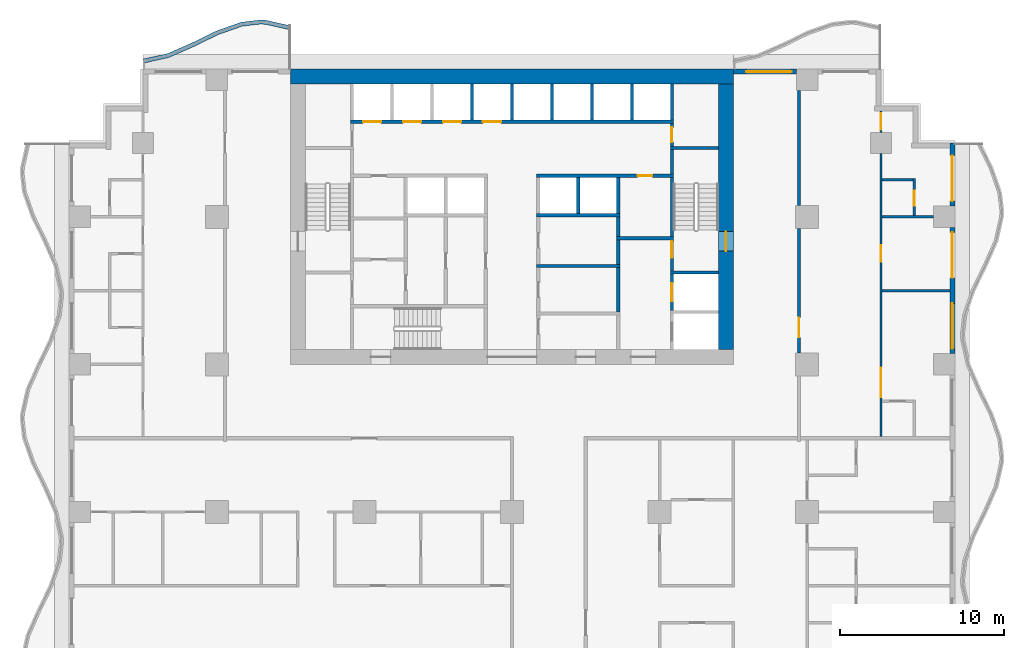
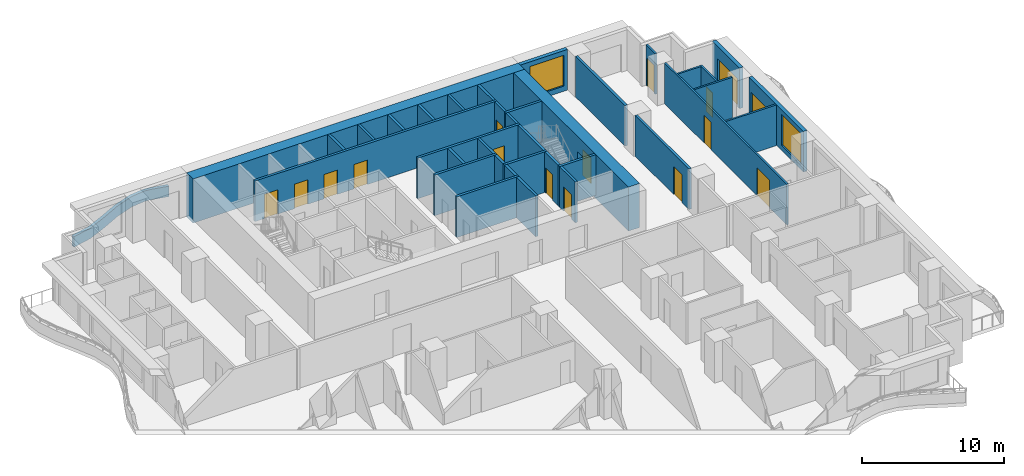
# One storey, part 6 of 14: 37 walls, 16 doors, 2 windows, 18 openings.
"""IFC4 building model written with IfcOpenShell, lengths in metres."""

from ifc_helpers import new_model, si_unit, direction, frame, frame_2d, origin, place, context, subcontext, project, spatial, polyline, rectangle, outline, extrude, material, layer, layer_set, type_object, element, fill, save


model = new_model("IFC4")

# Units and contexts
model_context = context("Model", 3, precision=1e-05, world=origin(), true_north=direction((0.0, 1.0)))
body_context = subcontext(model_context, "Body", "Model", "MODEL_VIEW")
ifc_project = project(units=[si_unit("LENGTHUNIT", "METRE"), si_unit("AREAUNIT", "SQUARE_METRE"), si_unit("VOLUMEUNIT", "CUBIC_METRE"), si_unit("PLANEANGLEUNIT", "RADIAN"), si_unit("MASSUNIT", "GRAM", prefix="KILO")], contexts=[model_context])

# Site, building, storey
site_placement = place(None, origin())
site = spatial("IfcSite", under=ifc_project, at=site_placement, CompositionType="ELEMENT")
building_placement = place(site_placement, origin())
building = spatial("IfcBuilding", under=site, at=building_placement, Name="Orbiselva Terraces", CompositionType="ELEMENT")
storey_placement = place(building_placement, frame((0.0, 0.0, 80.8)))
storey = spatial("IfcBuildingStorey", under=building, at=storey_placement, Name="L20", CompositionType="ELEMENT", Elevation=80.8)

# Wall, opening, door
ifc_material_1 = material(Name="Concrete C80/95", Category="concrete")
ifc_layer_1 = layer(ifc_material_1, 0.9)
ifc_layer_set_1 = layer_set([ifc_layer_1], Name="Concrete C80/95")
wall_type_1 = type_object("IfcWallType", Name="CORE WALL 900", PredefinedType="SHEAR", material=ifc_layer_set_1)
wall_1_placement = place(storey_placement, frame((13.05, 5.4, -0.3), z_axis=(0.0, 0.0, 1.0), x_axis=(0.0, 1.0, 0.0)))
wall_1 = element("IfcWall", 1, at=wall_1_placement, inside=storey, type_object=wall_type_1, Name="Core wall L20 east", PredefinedType="SHEAR", context=body_context, shape_type="SweptSolid", body=[
    extrude(rectangle(XDim=16.2, YDim=0.9, at=frame_2d((8.1, 0.0))), origin(), (0.0, 0.0, 1.0), 3.8),
])
opening_1_placement = place(wall_1_placement, frame((6.0, 0.0, 0.3)))
opening_1 = element("IfcOpeningElement", 2, at=opening_1_placement, cuts=wall_1, Name="Opening DS1200", PredefinedType="OPENING", context=body_context, shape_type="SweptSolid", body=[
    extrude(rectangle(XDim=1.2, YDim=2.2, at=frame_2d((0.6, 1.1))), frame((0.0, 0.46, 0.0), z_axis=(0.0, -1.0, 0.0), x_axis=(1.0, 0.0, 0.0)), (0.0, 0.0, 1.0), 0.92),
])
ifc_material_2 = material(Name="Steel fire door", Category="steel")
door_type_1 = type_object("IfcDoorType", Name="STAIR DOOR 1200", OperationType="NOTDEFINED", PredefinedType="DOOR", material=ifc_material_2)
door_1_placement = place(opening_1_placement, frame((1.2, 0.0, 0.0), z_axis=(0.0, 0.0, 1.0), x_axis=(-1.0, 0.0, 0.0)))
door_1 = element("IfcDoor", 3, at=door_1_placement, inside=storey, type_object=door_type_1, Name="L20 EXIT STAIR S2 door", OperationType="SINGLE_SWING_LEFT", OverallHeight=2.2, OverallWidth=1.2, PredefinedType="DOOR", context=body_context, shape_type="SweptSolid", body=[
    extrude(rectangle(XDim=1.2, YDim=2.2, at=frame_2d((0.6, 1.1))), frame((0.0, 0.025, 0.0), z_axis=(0.0, -1.0, 0.0), x_axis=(1.0, 0.0, 0.0)), (0.0, 0.0, 1.0), 0.05),
])
fill(opening_1, door_1)

# Walls
ifc_layer_2 = layer(ifc_material_1, 0.9)
ifc_layer_set_2 = layer_set([ifc_layer_2], Name="Concrete C80/95")
wall_type_2 = type_object("IfcWallType", Name="CORE WALL 900 EXTERNAL", PredefinedType="SHEAR", material=ifc_layer_set_2)
wall_2_placement = place(storey_placement, frame((13.5, 22.05, -0.3), z_axis=(0.0, 0.0, 1.0), x_axis=(-1.0, 0.0, 0.0)))
element("IfcWall", 4, at=wall_2_placement, inside=storey, type_object=wall_type_2, Name="Core wall L20 north", PredefinedType="SHEAR", context=body_context, shape_type="SweptSolid", body=[
    extrude(rectangle(XDim=27.0, YDim=0.9, at=frame_2d((13.5, 0.0))), origin(), (0.0, 0.0, 1.0), 3.8),
])
ifc_material_3 = material(Name="Masonry blockwork", Category="masonry")
ifc_layer_3 = layer(ifc_material_3, 0.2)
ifc_layer_set_3 = layer_set([ifc_layer_3], Name="Masonry blockwork")
wall_type_3 = type_object("IfcWallType", Name="CORE-WALL-PARTITION-200", PredefinedType="PARTITIONING", material=ifc_layer_set_3)
wall_3_placement = place(storey_placement, frame((6.475, 12.3, 0.0), z_axis=(0.0, 0.0, 1.0), x_axis=(0.0, 1.0, 0.0)))
element("IfcWall", 5, at=wall_3_placement, inside=storey, type_object=wall_type_3, Name="L20 core wall 44", PredefinedType="PARTITIONING", context=body_context, shape_type="SweptSolid", body=[
    extrude(rectangle(XDim=1.2, YDim=0.2, at=frame_2d((0.6, 0.0))), origin(), (0.0, 0.0, 1.0), 3.5),
])

# Wall, opening, door
wall_4_placement = place(storey_placement, frame((9.75, 19.2, 0.0), z_axis=(0.0, 0.0, 1.0), x_axis=(0.0, -1.0, 0.0)))
wall_4 = element("IfcWall", 6, at=wall_4_placement, inside=storey, type_object=wall_type_3, Name="L20 core wall 55", PredefinedType="PARTITIONING", context=body_context, shape_type="SweptSolid", body=[
    extrude(rectangle(XDim=1.4, YDim=0.2, at=frame_2d((0.7, 0.0))), origin(), (0.0, 0.0, 1.0), 3.5),
])
opening_2_placement = place(wall_4_placement, frame((0.25, 0.0, 0.0)))
opening_2 = element("IfcOpeningElement", 7, at=opening_2_placement, cuts=wall_4, Name="Opening DR900", PredefinedType="OPENING", context=body_context, shape_type="SweptSolid", body=[
    extrude(rectangle(XDim=0.9, YDim=2.1, at=frame_2d((0.45, 1.05))), frame((0.0, 0.11, 0.0), z_axis=(0.0, -1.0, 0.0), x_axis=(1.0, 0.0, 0.0)), (0.0, 0.0, 1.0), 0.22),
])
door_type_2 = type_object("IfcDoorType", Name="ROOM DOOR 900", OperationType="NOTDEFINED", PredefinedType="DOOR", material=ifc_material_2)
door_2_placement = place(opening_2_placement, origin())
door_2 = element("IfcDoor", 8, at=door_2_placement, inside=storey, type_object=door_type_2, Name="L20 COMMS RISER ROOM door", OperationType="SINGLE_SWING_RIGHT", OverallHeight=2.1, OverallWidth=0.9, PredefinedType="DOOR", context=body_context, shape_type="SweptSolid", body=[
    extrude(rectangle(XDim=0.9, YDim=2.1, at=frame_2d((0.45, 1.05))), frame((0.0, 0.025, 0.0), z_axis=(0.0, -1.0, 0.0), x_axis=(1.0, 0.0, 0.0)), (0.0, 0.0, 1.0), 0.05),
])
fill(opening_2, door_2)

# Walls
ifc_material_4 = material(Name="Concrete C40/50", Category="concrete")
ifc_layer_4 = layer(ifc_material_4, 0.2)
ifc_layer_set_4 = layer_set([ifc_layer_4], Name="Concrete C40/50")
wall_type_4 = type_object("IfcWallType", Name="CORE-WALL-SHAFT-200", PredefinedType="PARTITIONING", material=ifc_layer_set_4)
for number, where, z_axis, x_axis, name in (
    (9, (-2.4375, 19.4, 0.0), (0.0, 0.0, 1.0), (0.0, 1.0, 0.0), "L20 core wall 24"),
    (10, (0.0, 19.4, 0.0), (0.0, 0.0, 1.0), (0.0, 1.0, 0.0), "L20 core wall 28"),
    (11, (2.4375, 19.4, 0.0), (0.0, 0.0, 1.0), (0.0, 1.0, 0.0), "L20 core wall 37"),
    (12, (4.0375, 13.7, 0.0), (0.0, 0.0, 1.0), (0.0, 1.0, 0.0), "L20 core wall 38"),
    (13, (4.875, 19.4, 0.0), (0.0, 0.0, 1.0), (0.0, 1.0, 0.0), "L20 core wall 39"),
    (14, (6.475, 13.7, 0.0), (0.0, 0.0, 1.0), (0.0, 1.0, 0.0), "L20 core wall 45"),
    (15, (7.3125, 19.4, 0.0), (0.0, 0.0, 1.0), (0.0, 1.0, 0.0), "L20 core wall 46"),
    (16, (9.75, 19.4, 0.0), (0.0, 0.0, 1.0), (0.0, 1.0, 0.0), "L20 core wall 56"),
):
    element("IfcWall", number, at=place(storey_placement, frame(where, z_axis=z_axis, x_axis=x_axis)), inside=storey, type_object=wall_type_4, Name=name, PredefinedType="PARTITIONING", context=body_context, shape_type="SweptSolid", body=[
        extrude(rectangle(XDim=2.2, YDim=0.2, at=frame_2d((1.1, 0.0))), origin(), (0.0, 0.0, 1.0), 3.5),
    ])

# Wall, openings, doors
ifc_material_5 = material(Name="Concrete C60/75", Category="concrete")
ifc_layer_5 = layer(ifc_material_5, 0.2)
ifc_layer_set_5 = layer_set([ifc_layer_5], Name="Concrete C60/75")
wall_type_5 = type_object("IfcWallType", Name="CORE-WALL-SHEAR-200", PredefinedType="SHEAR", material=ifc_layer_set_5)
wall_5_placement = place(storey_placement, frame((-9.85, 19.3, 0.0), z_axis=(0.0, 0.0, 1.0), x_axis=(1.0, 0.0, 0.0)))
wall_5 = element("IfcWall", 17, at=wall_5_placement, inside=storey, type_object=wall_type_5, Name="L20 core wall 14", PredefinedType="SHEAR", context=body_context, shape_type="SweptSolid", body=[
    extrude(rectangle(XDim=19.7, YDim=0.2, at=frame_2d((9.85, 0.0))), origin(), (0.0, 0.0, 1.0), 3.5),
])
opening_3_placement = place(wall_5_placement, frame((0.76875, 0.0, 0.0)))
opening_3 = element("IfcOpeningElement", 18, at=opening_3_placement, cuts=wall_5, Name="Opening LD-LR1", PredefinedType="OPENING", context=body_context, shape_type="SweptSolid", body=[
    extrude(rectangle(XDim=1.1, YDim=2.1, at=frame_2d((0.55, 1.05))), frame((0.0, 0.11, 0.0), z_axis=(0.0, -1.0, 0.0), x_axis=(1.0, 0.0, 0.0)), (0.0, 0.0, 1.0), 0.22),
])
opening_4_placement = place(wall_5_placement, frame((3.20625, 0.0, 0.0)))
opening_4 = element("IfcOpeningElement", 19, at=opening_4_placement, cuts=wall_5, Name="Opening LD-LR2", PredefinedType="OPENING", context=body_context, shape_type="SweptSolid", body=[
    extrude(rectangle(XDim=1.1, YDim=2.1, at=frame_2d((0.55, 1.05))), frame((0.0, 0.11, 0.0), z_axis=(0.0, -1.0, 0.0), x_axis=(1.0, 0.0, 0.0)), (0.0, 0.0, 1.0), 0.22),
])
opening_5_placement = place(wall_5_placement, frame((5.64375, 0.0, 0.0)))
opening_5 = element("IfcOpeningElement", 20, at=opening_5_placement, cuts=wall_5, Name="Opening LD-LR3", PredefinedType="OPENING", context=body_context, shape_type="SweptSolid", body=[
    extrude(rectangle(XDim=1.1, YDim=2.1, at=frame_2d((0.55, 1.05))), frame((0.0, 0.11, 0.0), z_axis=(0.0, -1.0, 0.0), x_axis=(1.0, 0.0, 0.0)), (0.0, 0.0, 1.0), 0.22),
])
opening_6_placement = place(wall_5_placement, frame((8.08125, 0.0, 0.0)))
opening_6 = element("IfcOpeningElement", 21, at=opening_6_placement, cuts=wall_5, Name="Opening LD-LR4", PredefinedType="OPENING", context=body_context, shape_type="SweptSolid", body=[
    extrude(rectangle(XDim=1.1, YDim=2.1, at=frame_2d((0.55, 1.05))), frame((0.0, 0.11, 0.0), z_axis=(0.0, -1.0, 0.0), x_axis=(1.0, 0.0, 0.0)), (0.0, 0.0, 1.0), 0.22),
])
ifc_material_6 = material(Name="Stainless steel landing door", Category="steel")
door_type_3 = type_object("IfcDoorType", Name="LANDING DOOR 1100", OperationType="SLIDING_TO_LEFT", PredefinedType="DOOR", material=ifc_material_6)
door_3_placement = place(opening_3_placement, origin())
door_3 = element("IfcDoor", 22, at=door_3_placement, inside=storey, type_object=door_type_3, Name="L20 landing door LR1", OperationType="SLIDING_TO_LEFT", OverallHeight=2.1, OverallWidth=1.1, PredefinedType="DOOR", context=body_context, shape_type="SweptSolid", body=[
    extrude(rectangle(XDim=1.1, YDim=2.1, at=frame_2d((0.55, 1.05))), frame((0.0, 0.025, 0.0), z_axis=(0.0, -1.0, 0.0), x_axis=(1.0, 0.0, 0.0)), (0.0, 0.0, 1.0), 0.05),
])
fill(opening_3, door_3)
door_4_placement = place(opening_4_placement, origin())
door_4 = element("IfcDoor", 23, at=door_4_placement, inside=storey, type_object=door_type_3, Name="L20 landing door LR2", OperationType="SLIDING_TO_LEFT", OverallHeight=2.1, OverallWidth=1.1, PredefinedType="DOOR", context=body_context, shape_type="SweptSolid", body=[
    extrude(rectangle(XDim=1.1, YDim=2.1, at=frame_2d((0.55, 1.05))), frame((0.0, 0.025, 0.0), z_axis=(0.0, -1.0, 0.0), x_axis=(1.0, 0.0, 0.0)), (0.0, 0.0, 1.0), 0.05),
])
fill(opening_4, door_4)
door_5_placement = place(opening_5_placement, origin())
door_5 = element("IfcDoor", 24, at=door_5_placement, inside=storey, type_object=door_type_3, Name="L20 landing door LR3", OperationType="SLIDING_TO_LEFT", OverallHeight=2.1, OverallWidth=1.1, PredefinedType="DOOR", context=body_context, shape_type="SweptSolid", body=[
    extrude(rectangle(XDim=1.1, YDim=2.1, at=frame_2d((0.55, 1.05))), frame((0.0, 0.025, 0.0), z_axis=(0.0, -1.0, 0.0), x_axis=(1.0, 0.0, 0.0)), (0.0, 0.0, 1.0), 0.05),
])
fill(opening_5, door_5)
door_6_placement = place(opening_6_placement, origin())
door_6 = element("IfcDoor", 25, at=door_6_placement, inside=storey, type_object=door_type_3, Name="L20 landing door LR4", OperationType="SLIDING_TO_LEFT", OverallHeight=2.1, OverallWidth=1.1, PredefinedType="DOOR", context=body_context, shape_type="SweptSolid", body=[
    extrude(rectangle(XDim=1.1, YDim=2.1, at=frame_2d((0.55, 1.05))), frame((0.0, 0.025, 0.0), z_axis=(0.0, -1.0, 0.0), x_axis=(1.0, 0.0, 0.0)), (0.0, 0.0, 1.0), 0.05),
])
fill(opening_6, door_6)

# Walls
for number, where, z_axis, x_axis, name in (
    (26, (1.5, 10.5, 0.0), (0.0, 0.0, 1.0), (1.0, 0.0, 0.0), "L20 core wall 32"),
    (27, (1.5, 13.6, 0.0), (0.0, 0.0, 1.0), (1.0, 0.0, 0.0), "L20 core wall 34"),
):
    element("IfcWall", number, at=place(storey_placement, frame(where, z_axis=z_axis, x_axis=x_axis)), inside=storey, type_object=wall_type_5, Name=name, PredefinedType="SHEAR", context=body_context, shape_type="SweptSolid", body=[
        extrude(rectangle(XDim=5.075, YDim=0.2, at=frame_2d((2.5375, 0.0))), origin(), (0.0, 0.0, 1.0), 3.5),
    ])

# Wall, opening, door
wall_6_placement = place(storey_placement, frame((9.85, 16.0, 0.0), z_axis=(0.0, 0.0, 1.0), x_axis=(-1.0, 0.0, 0.0)))
wall_6 = element("IfcWall", 28, at=wall_6_placement, inside=storey, type_object=wall_type_5, Name="L20 core wall 36", PredefinedType="SHEAR", context=body_context, shape_type="SweptSolid", body=[
    extrude(rectangle(XDim=8.35, YDim=0.2, at=frame_2d((4.175, 0.0))), origin(), (0.0, 0.0, 1.0), 3.5),
])
opening_7_placement = place(wall_6_placement, frame((1.2875, 0.0, 0.0)))
opening_7 = element("IfcOpeningElement", 29, at=opening_7_placement, cuts=wall_6, Name="Opening DR900", PredefinedType="OPENING", context=body_context, shape_type="SweptSolid", body=[
    extrude(rectangle(XDim=0.9, YDim=2.1, at=frame_2d((0.45, 1.05))), frame((0.0, 0.11, 0.0), z_axis=(0.0, -1.0, 0.0), x_axis=(1.0, 0.0, 0.0)), (0.0, 0.0, 1.0), 0.22),
])
door_7_placement = place(opening_7_placement, origin())
door_7 = element("IfcDoor", 30, at=door_7_placement, inside=storey, type_object=door_type_2, Name="L20 PIPE RISER ROOM door", OperationType="SINGLE_SWING_LEFT", OverallHeight=2.1, OverallWidth=0.9, PredefinedType="DOOR", context=body_context, shape_type="SweptSolid", body=[
    extrude(rectangle(XDim=0.9, YDim=2.1, at=frame_2d((0.45, 1.05))), frame((0.0, 0.025, 0.0), z_axis=(0.0, -1.0, 0.0), x_axis=(1.0, 0.0, 0.0)), (0.0, 0.0, 1.0), 0.05),
])
fill(opening_7, door_7)

# Walls
wall_7_placement = place(storey_placement, frame((6.475, 7.7, 0.0), z_axis=(0.0, 0.0, 1.0), x_axis=(0.0, 1.0, 0.0)))
element("IfcWall", 31, at=wall_7_placement, inside=storey, type_object=wall_type_5, Name="L20 core wall 41", PredefinedType="SHEAR", context=body_context, shape_type="SweptSolid", body=[
    extrude(rectangle(XDim=2.7, YDim=0.2, at=frame_2d((1.35, 0.0))), origin(), (0.0, 0.0, 1.0), 3.5),
])
wall_8_placement = place(storey_placement, frame((6.475, 10.6, 0.0), z_axis=(0.0, 0.0, 1.0), x_axis=(0.0, 1.0, 0.0)))
element("IfcWall", 32, at=wall_8_placement, inside=storey, type_object=wall_type_5, Name="L20 core wall 42", PredefinedType="SHEAR", context=body_context, shape_type="SweptSolid", body=[
    extrude(rectangle(XDim=1.5, YDim=0.2, at=frame_2d((0.75, 0.0))), origin(), (0.0, 0.0, 1.0), 3.5),
])
wall_9_placement = place(storey_placement, frame((6.375, 12.2, 0.0), z_axis=(0.0, 0.0, 1.0), x_axis=(1.0, 0.0, 0.0)))
element("IfcWall", 33, at=wall_9_placement, inside=storey, type_object=wall_type_5, Name="L20 core wall 43", PredefinedType="SHEAR", context=body_context, shape_type="SweptSolid", body=[
    extrude(rectangle(XDim=3.475, YDim=0.2, at=frame_2d((1.7375, 0.0))), origin(), (0.0, 0.0, 1.0), 3.5),
])

# Wall, opening, door
wall_10_placement = place(storey_placement, frame((9.75, 7.8, 0.0), z_axis=(0.0, 0.0, 1.0), x_axis=(0.0, 1.0, 0.0)))
wall_10 = element("IfcWall", 34, at=wall_10_placement, inside=storey, type_object=wall_type_5, Name="L20 core wall 49", PredefinedType="SHEAR", context=body_context, shape_type="SweptSolid", body=[
    extrude(rectangle(XDim=2.2, YDim=0.2, at=frame_2d((1.1, 0.0))), origin(), (0.0, 0.0, 1.0), 3.5),
])
opening_8_placement = place(wall_10_placement, frame((0.55, 0.0, 0.0)))
opening_8 = element("IfcOpeningElement", 35, at=opening_8_placement, cuts=wall_10, Name="Opening LD-FF2", PredefinedType="OPENING", context=body_context, shape_type="SweptSolid", body=[
    extrude(rectangle(XDim=1.1, YDim=2.1, at=frame_2d((0.55, 1.05))), frame((0.0, 0.11, 0.0), z_axis=(0.0, -1.0, 0.0), x_axis=(1.0, 0.0, 0.0)), (0.0, 0.0, 1.0), 0.22),
])
door_8_placement = place(opening_8_placement, origin())
door_8 = element("IfcDoor", 36, at=door_8_placement, inside=storey, type_object=door_type_3, Name="L20 landing door FF2", OperationType="SLIDING_TO_RIGHT", OverallHeight=2.1, OverallWidth=1.1, PredefinedType="DOOR", context=body_context, shape_type="SweptSolid", body=[
    extrude(rectangle(XDim=1.1, YDim=2.1, at=frame_2d((0.55, 1.05))), frame((0.0, 0.025, 0.0), z_axis=(0.0, -1.0, 0.0), x_axis=(1.0, 0.0, 0.0)), (0.0, 0.0, 1.0), 0.05),
])
fill(opening_8, door_8)

# Wall
wall_11_placement = place(storey_placement, frame((9.65, 10.1, 0.0), z_axis=(0.0, 0.0, 1.0), x_axis=(1.0, 0.0, 0.0)))
element("IfcWall", 37, at=wall_11_placement, inside=storey, type_object=wall_type_5, Name="L20 core wall 50", PredefinedType="SHEAR", context=body_context, shape_type="SweptSolid", body=[
    extrude(rectangle(XDim=2.95, YDim=0.2, at=frame_2d((1.475, 0.0))), origin(), (0.0, 0.0, 1.0), 3.5),
])

# Wall, opening, door
wall_12_placement = place(storey_placement, frame((9.75, 12.1, 0.0), z_axis=(0.0, 0.0, 1.0), x_axis=(0.0, -1.0, 0.0)))
wall_12 = element("IfcWall", 38, at=wall_12_placement, inside=storey, type_object=wall_type_5, Name="L20 core wall 51", PredefinedType="SHEAR", context=body_context, shape_type="SweptSolid", body=[
    extrude(rectangle(XDim=1.9, YDim=0.2, at=frame_2d((0.95, 0.0))), origin(), (0.0, 0.0, 1.0), 3.5),
])
opening_9_placement = place(wall_12_placement, frame((0.1, 0.0, 0.0)))
opening_9 = element("IfcOpeningElement", 39, at=opening_9_placement, cuts=wall_12, Name="Opening DS1000", PredefinedType="OPENING", context=body_context, shape_type="SweptSolid", body=[
    extrude(rectangle(XDim=1.0, YDim=2.2, at=frame_2d((0.5, 1.1))), frame((0.0, 0.11, 0.0), z_axis=(0.0, -1.0, 0.0), x_axis=(1.0, 0.0, 0.0)), (0.0, 0.0, 1.0), 0.22),
])
door_type_4 = type_object("IfcDoorType", Name="STAIR DOOR 1000", OperationType="NOTDEFINED", PredefinedType="DOOR", material=ifc_material_2)
door_9_placement = place(opening_9_placement, origin())
door_9 = element("IfcDoor", 40, at=door_9_placement, inside=storey, type_object=door_type_4, Name="L20 FIRE-FIGHTING LOBBY TO EXIT STAIR S2 door", OperationType="SINGLE_SWING_LEFT", OverallHeight=2.2, OverallWidth=1.0, PredefinedType="DOOR", context=body_context, shape_type="SweptSolid", body=[
    extrude(rectangle(XDim=1.0, YDim=2.2, at=frame_2d((0.5, 1.1))), frame((0.0, 0.025, 0.0), z_axis=(0.0, -1.0, 0.0), x_axis=(1.0, 0.0, 0.0)), (0.0, 0.0, 1.0), 0.05),
])
fill(opening_9, door_9)

# Walls
wall_13_placement = place(storey_placement, frame((9.75, 12.3, 0.0), z_axis=(0.0, 0.0, 1.0), x_axis=(0.0, 1.0, 0.0)))
element("IfcWall", 41, at=wall_13_placement, inside=storey, type_object=wall_type_5, Name="L20 core wall 52", PredefinedType="SHEAR", context=body_context, shape_type="SweptSolid", body=[
    extrude(rectangle(XDim=3.6, YDim=0.2, at=frame_2d((1.8, 0.0))), origin(), (0.0, 0.0, 1.0), 3.5),
])
wall_14_placement = place(storey_placement, frame((9.75, 16.1, 0.0), z_axis=(0.0, 0.0, 1.0), x_axis=(0.0, 1.0, 0.0)))
element("IfcWall", 42, at=wall_14_placement, inside=storey, type_object=wall_type_5, Name="L20 core wall 53", PredefinedType="SHEAR", context=body_context, shape_type="SweptSolid", body=[
    extrude(rectangle(XDim=1.5, YDim=0.2, at=frame_2d((0.75, 0.0))), origin(), (0.0, 0.0, 1.0), 3.5),
])
wall_15_placement = place(storey_placement, frame((9.65, 17.7, 0.0), z_axis=(0.0, 0.0, 1.0), x_axis=(1.0, 0.0, 0.0)))
element("IfcWall", 43, at=wall_15_placement, inside=storey, type_object=wall_type_5, Name="L20 core wall 54", PredefinedType="SHEAR", context=body_context, shape_type="SweptSolid", body=[
    extrude(rectangle(XDim=2.95, YDim=0.2, at=frame_2d((1.475, 0.0))), origin(), (0.0, 0.0, 1.0), 3.5),
])
ifc_layer_6 = layer(ifc_material_4, 0.25)
ifc_layer_set_6 = layer_set([ifc_layer_6], Name="Concrete C40/50")
wall_type_6 = type_object("IfcWallType", Name="ENV-PLANTER-250x900", PredefinedType="USERDEFINED", material=ifc_layer_set_6)
wall_16_placement = place(storey_placement, origin())
element("IfcWall", 44, at=wall_16_placement, inside=storey, type_object=wall_type_6, Name="Balcony planter L20 NW", ObjectType="PLANTER", PredefinedType="USERDEFINED", context=body_context, shape_type="SweptSolid", body=[
    extrude(outline(polyline([(-13.5, 25.148528), (-15.0, 25.485226), (-15.375, 25.5), (-16.5, 25.369208), (-18.0, 24.844789), (-19.5, 24.112279), (-21.0, 23.451472), (-22.5, 23.114774), (-22.445246, 22.870844), (-20.921492, 23.212874), (-19.394714, 23.885477), (-17.90356, 24.613667), (-16.443629, 25.124078), (-15.365428, 25.249429), (-15.032565, 25.236315), (-13.554754, 24.904598), (-13.5, 25.148528)])), origin(), (0.0, 0.0, 1.0), 0.9),
])

# Wall, openings, door, window
ifc_material_7 = material(Name="Terracotta cladding on masonry backing", Category="masonry")
ifc_layer_7 = layer(ifc_material_7, 0.3)
ifc_layer_set_7 = layer_set([ifc_layer_7], Name="Terracotta cladding on masonry backing")
wall_type_7 = type_object("IfcWallType", Name="ENV-WALL-TERRACOTTA-300", PredefinedType="SOLIDWALL", material=ifc_layer_set_7)
wall_17_placement = place(storey_placement, frame((26.85, 12.85, 0.0), z_axis=(0.0, 0.0, 1.0), x_axis=(0.0, -1.0, 0.0)))
wall_17 = element("IfcWall", 45, at=wall_17_placement, inside=storey, type_object=wall_type_7, Name="Facade wall L20 E", PredefinedType="SOLIDWALL", context=body_context, shape_type="SweptSolid", body=[
    extrude(rectangle(XDim=7.7, YDim=0.3, at=frame_2d((3.85, 0.0))), origin(), (0.0, 0.0, 1.0), 3.5),
])
opening_10_placement = place(wall_17_placement, frame((4.625, 0.0, 0.45)))
opening_10 = element("IfcOpeningElement", 46, at=opening_10_placement, cuts=wall_17, Name="Opening WN6", PredefinedType="OPENING", context=body_context, shape_type="SweptSolid", body=[
    extrude(rectangle(XDim=2.775, YDim=2.65, at=frame_2d((1.3875, 1.325))), frame((0.0, 0.16, 0.0), z_axis=(0.0, -1.0, 0.0), x_axis=(1.0, 0.0, 0.0)), (0.0, 0.0, 1.0), 0.32),
])
opening_11_placement = place(wall_17_placement, frame((0.3, 0.0, 0.0)))
opening_11 = element("IfcOpeningElement", 47, at=opening_11_placement, cuts=wall_17, Name="Opening Z2-B-E07", PredefinedType="OPENING", context=body_context, shape_type="SweptSolid", body=[
    extrude(rectangle(XDim=2.775, YDim=2.4, at=frame_2d((1.3875, 1.2))), frame((0.0, 0.16, 0.0), z_axis=(0.0, -1.0, 0.0), x_axis=(1.0, 0.0, 0.0)), (0.0, 0.0, 1.0), 0.32),
])
ifc_material_8 = material(Name="Clear low-e glazing in aluminium frame", Category="aluminium")
door_type_5 = type_object("IfcDoorType", Name="BALCONY DOOR 2775 X 2400", OperationType="DOUBLE_DOOR_SLIDING", PredefinedType="DOOR", material=ifc_material_8)
door_10_placement = place(opening_11_placement, origin())
door_10 = element("IfcDoor", 48, at=door_10_placement, inside=storey, type_object=door_type_5, Name="Z2-B-E07", OperationType="SINGLE_SWING_LEFT", OverallHeight=2.4, OverallWidth=2.775, PredefinedType="DOOR", context=body_context, shape_type="SweptSolid", body=[
    extrude(rectangle(XDim=2.775, YDim=2.4, at=frame_2d((1.3875, 1.2))), frame((0.0, 0.025, 0.0), z_axis=(0.0, -1.0, 0.0), x_axis=(1.0, 0.0, 0.0)), (0.0, 0.0, 1.0), 0.05),
])
fill(opening_11, door_10)
window_type = type_object("IfcWindowType", Name="WINDOW 2775 X 2650 S450", PartitioningType="TRIPLE_PANEL_VERTICAL", PredefinedType="WINDOW", material=ifc_material_8)
window_1_placement = place(opening_10_placement, origin())
window_1 = element("IfcWindow", 49, at=window_1_placement, inside=storey, type_object=window_type, Name="Window L20 E", OverallHeight=2.65, OverallWidth=2.775, PartitioningType="SINGLE_PANEL", PredefinedType="WINDOW", context=body_context, shape_type="SweptSolid", body=[
    extrude(rectangle(XDim=2.775, YDim=2.65, at=frame_2d((1.3875, 1.325))), frame((0.0, 0.03, 0.0), z_axis=(0.0, -1.0, 0.0), x_axis=(1.0, 0.0, 0.0)), (0.0, 0.0, 1.0), 0.06),
])
fill(opening_10, window_1)

# Wall, opening, door
wall_18_placement = place(storey_placement, frame((26.85, 18.0, 0.0), z_axis=(0.0, 0.0, 1.0), x_axis=(0.0, -1.0, 0.0)))
wall_18 = element("IfcWall", 50, at=wall_18_placement, inside=storey, type_object=wall_type_7, Name="Facade wall L20 E", PredefinedType="SOLIDWALL", context=body_context, shape_type="SweptSolid", body=[
    extrude(rectangle(XDim=3.85, YDim=0.3, at=frame_2d((1.925, 0.0))), origin(), (0.0, 0.0, 1.0), 3.5),
])
opening_12_placement = place(wall_18_placement, frame((0.775, 0.0, 0.0)))
opening_12 = element("IfcOpeningElement", 51, at=opening_12_placement, cuts=wall_18, Name="Opening Z2-B-E08", PredefinedType="OPENING", context=body_context, shape_type="SweptSolid", body=[
    extrude(rectangle(XDim=2.775, YDim=2.4, at=frame_2d((1.3875, 1.2))), frame((0.0, 0.16, 0.0), z_axis=(0.0, -1.0, 0.0), x_axis=(1.0, 0.0, 0.0)), (0.0, 0.0, 1.0), 0.32),
])
door_11_placement = place(opening_12_placement, origin())
door_11 = element("IfcDoor", 52, at=door_11_placement, inside=storey, type_object=door_type_5, Name="Z2-B-E08", OperationType="SINGLE_SWING_LEFT", OverallHeight=2.4, OverallWidth=2.775, PredefinedType="DOOR", context=body_context, shape_type="SweptSolid", body=[
    extrude(rectangle(XDim=2.775, YDim=2.4, at=frame_2d((1.3875, 1.2))), frame((0.0, 0.025, 0.0), z_axis=(0.0, -1.0, 0.0), x_axis=(1.0, 0.0, 0.0)), (0.0, 0.0, 1.0), 0.05),
])
fill(opening_12, door_11)

# Wall, opening, window
wall_19_placement = place(storey_placement, frame((13.5, 22.35, 0.0), z_axis=(0.0, 0.0, 1.0), x_axis=(1.0, 0.0, 0.0)))
wall_19 = element("IfcWall", 53, at=wall_19_placement, inside=storey, type_object=wall_type_7, Name="Facade wall L20 NE", PredefinedType="SOLIDWALL", context=body_context, shape_type="SweptSolid", body=[
    extrude(rectangle(XDim=3.85, YDim=0.3, at=frame_2d((1.925, 0.0))), origin(), (0.0, 0.0, 1.0), 3.5),
])
opening_13_placement = place(wall_19_placement, frame((0.775, 0.0, 0.45)))
opening_13 = element("IfcOpeningElement", 54, at=opening_13_placement, cuts=wall_19, Name="Opening WN6", PredefinedType="OPENING", context=body_context, shape_type="SweptSolid", body=[
    extrude(rectangle(XDim=2.775, YDim=2.65, at=frame_2d((1.3875, 1.325))), frame((0.0, 0.16, 0.0), z_axis=(0.0, -1.0, 0.0), x_axis=(1.0, 0.0, 0.0)), (0.0, 0.0, 1.0), 0.32),
])
window_2_placement = place(opening_13_placement, origin())
window_2 = element("IfcWindow", 55, at=window_2_placement, inside=storey, type_object=window_type, Name="Window L20 NE", OverallHeight=2.65, OverallWidth=2.775, PartitioningType="SINGLE_PANEL", PredefinedType="WINDOW", context=body_context, shape_type="SweptSolid", body=[
    extrude(rectangle(XDim=2.775, YDim=2.65, at=frame_2d((1.3875, 1.325))), frame((0.0, 0.03, 0.0), z_axis=(0.0, -1.0, 0.0), x_axis=(1.0, 0.0, 0.0)), (0.0, 0.0, 1.0), 0.06),
])
fill(opening_13, window_2)

# Wall, opening, door
ifc_material_9 = material(Name="Plasterboard on steel stud partition", Category="steel")
ifc_layer_8 = layer(ifc_material_9, 0.2)
ifc_layer_set_8 = layer_set([ifc_layer_8], Name="Plasterboard on steel stud partition")
wall_type_8 = type_object("IfcWallType", Name="UNIT-ENTRANCE-WALL-200", PredefinedType="PARTITIONING", material=ifc_layer_set_8)
wall_20_placement = place(storey_placement, frame((17.5, 12.8, 0.0), z_axis=(0.0, 0.0, 1.0), x_axis=(0.0, -1.0, 0.0)))
wall_20 = element("IfcWall", 56, at=wall_20_placement, inside=storey, type_object=wall_type_8, Name="PARTITION L20-076", PredefinedType="PARTITIONING", context=body_context, shape_type="SweptSolid", body=[
    extrude(rectangle(XDim=7.6, YDim=0.2, at=frame_2d((3.8, 0.0))), origin(), (0.0, 0.0, 1.0), 3.5),
])
opening_14_placement = place(wall_20_placement, frame((5.45, 0.0, 0.0)))
opening_14 = element("IfcOpeningElement", 57, at=opening_14_placement, cuts=wall_20, Name="Opening Z2-B-09", PredefinedType="OPENING", context=body_context, shape_type="SweptSolid", body=[
    extrude(rectangle(XDim=1.2, YDim=2.4, at=frame_2d((0.6, 1.2))), frame((0.0, 0.11, 0.0), z_axis=(0.0, -1.0, 0.0), x_axis=(1.0, 0.0, 0.0)), (0.0, 0.0, 1.0), 0.22),
])
ifc_material_10 = material(Name="Painted timber door leaf", Category="wood")
door_type_6 = type_object("IfcDoorType", Name="ENTRANCE DOOR 1200", OperationType="NOTDEFINED", PredefinedType="DOOR", material=ifc_material_10)
door_12_placement = place(opening_14_placement, origin())
door_12 = element("IfcDoor", 58, at=door_12_placement, inside=storey, type_object=door_type_6, Name="Z2-B-09", OperationType="SINGLE_SWING_RIGHT", OverallHeight=2.4, OverallWidth=1.2, PredefinedType="DOOR", context=body_context, shape_type="SweptSolid", body=[
    extrude(rectangle(XDim=1.2, YDim=2.4, at=frame_2d((0.6, 1.2))), frame((0.0, 0.025, 0.0), z_axis=(0.0, -1.0, 0.0), x_axis=(1.0, 0.0, 0.0)), (0.0, 0.0, 1.0), 0.05),
])
fill(opening_14, door_12)

# Walls
wall_21_placement = place(storey_placement, frame((17.5, 14.2, 0.0), z_axis=(0.0, 0.0, 1.0), x_axis=(0.0, 1.0, 0.0)))
element("IfcWall", 59, at=wall_21_placement, inside=storey, type_object=wall_type_8, Name="PARTITION L20-077", PredefinedType="PARTITIONING", context=body_context, shape_type="SweptSolid", body=[
    extrude(rectangle(XDim=7.0, YDim=0.2, at=frame_2d((3.5, 0.0))), origin(), (0.0, 0.0, 1.0), 3.5),
])
ifc_layer_9 = layer(ifc_material_9, 0.15)
ifc_layer_set_9 = layer_set([ifc_layer_9], Name="Plasterboard on steel stud partition")
wall_type_9 = type_object("IfcWallType", Name="UNIT-PARTITION-150", PredefinedType="PARTITIONING", material=ifc_layer_set_9)
wall_22_placement = place(storey_placement, frame((22.575, 9.0, 0.0), z_axis=(0.0, 0.0, 1.0), x_axis=(1.0, 0.0, 0.0)))
element("IfcWall", 60, at=wall_22_placement, inside=storey, type_object=wall_type_9, Name="PARTITION L20-036", PredefinedType="PARTITIONING", context=body_context, shape_type="SweptSolid", body=[
    extrude(rectangle(XDim=4.125, YDim=0.15, at=frame_2d((2.0625, 0.0))), origin(), (0.0, 0.0, 1.0), 3.5),
])
wall_23_placement = place(storey_placement, frame((22.575, 13.5, 0.0), z_axis=(0.0, 0.0, 1.0), x_axis=(1.0, 0.0, 0.0)))
element("IfcWall", 61, at=wall_23_placement, inside=storey, type_object=wall_type_9, Name="PARTITION L20-039", PredefinedType="PARTITIONING", context=body_context, shape_type="SweptSolid", body=[
    extrude(rectangle(XDim=3.125, YDim=0.15, at=frame_2d((1.5625, 0.0))), origin(), (0.0, 0.0, 1.0), 3.5),
])
wall_24_placement = place(storey_placement, frame((22.575, 15.75, 0.0), z_axis=(0.0, 0.0, 1.0), x_axis=(1.0, 0.0, 0.0)))
element("IfcWall", 62, at=wall_24_placement, inside=storey, type_object=wall_type_9, Name="PARTITION L20-041", PredefinedType="PARTITIONING", context=body_context, shape_type="SweptSolid", body=[
    extrude(rectangle(XDim=1.875, YDim=0.15, at=frame_2d((0.9375, 0.0))), origin(), (0.0, 0.0, 1.0), 3.5),
])

# Wall, openings, doors
wall_25_placement = place(storey_placement, frame((22.5, 17.35, 0.0), z_axis=(0.0, 0.0, 1.0), x_axis=(0.0, -1.0, 0.0)))
wall_25 = element("IfcWall", 63, at=wall_25_placement, inside=storey, type_object=wall_type_9, Name="PARTITION L20-083", PredefinedType="PARTITIONING", context=body_context, shape_type="SweptSolid", body=[
    extrude(rectangle(XDim=17.25, YDim=0.15, at=frame_2d((8.625, 0.0))), origin(), (0.0, 0.0, 1.0), 3.5),
])
opening_15_placement = place(wall_25_placement, frame((13.05, 0.0, 0.0)))
opening_15 = element("IfcOpeningElement", 64, at=opening_15_placement, cuts=wall_25, Name="Opening Z2-B-10", PredefinedType="OPENING", context=body_context, shape_type="SweptSolid", body=[
    extrude(rectangle(XDim=1.8, YDim=2.4, at=frame_2d((0.9, 1.2))), frame((0.0, 0.085, 0.0), z_axis=(0.0, -1.0, 0.0), x_axis=(1.0, 0.0, 0.0)), (0.0, 0.0, 1.0), 0.17),
])
opening_16_placement = place(wall_25_placement, frame((5.6, 0.0, 0.0)))
opening_16 = element("IfcOpeningElement", 65, at=opening_16_placement, cuts=wall_25, Name="Opening Z2-B-12", PredefinedType="OPENING", context=body_context, shape_type="SweptSolid", body=[
    extrude(rectangle(XDim=1.0, YDim=2.4, at=frame_2d((0.5, 1.2))), frame((0.0, 0.085, 0.0), z_axis=(0.0, -1.0, 0.0), x_axis=(1.0, 0.0, 0.0)), (0.0, 0.0, 1.0), 0.17),
])
door_type_7 = type_object("IfcDoorType", Name="DOUBLE DOOR 1800", OperationType="NOTDEFINED", PredefinedType="DOOR", material=ifc_material_10)
door_13_placement = place(opening_15_placement, origin())
door_13 = element("IfcDoor", 66, at=door_13_placement, inside=storey, type_object=door_type_7, Name="Z2-B-10", OperationType="DOUBLE_DOOR_SINGLE_SWING", OverallHeight=2.4, OverallWidth=1.8, PredefinedType="DOOR", context=body_context, shape_type="SweptSolid", body=[
    extrude(rectangle(XDim=1.8, YDim=2.4, at=frame_2d((0.9, 1.2))), frame((0.0, 0.025, 0.0), z_axis=(0.0, -1.0, 0.0), x_axis=(1.0, 0.0, 0.0)), (0.0, 0.0, 1.0), 0.05),
])
fill(opening_15, door_13)
door_type_8 = type_object("IfcDoorType", Name="ROOM DOOR 1000", OperationType="NOTDEFINED", PredefinedType="DOOR", material=ifc_material_10)
door_14_placement = place(opening_16_placement, origin())
door_14 = element("IfcDoor", 67, at=door_14_placement, inside=storey, type_object=door_type_8, Name="Z2-B-12", OperationType="SINGLE_SWING_LEFT", OverallHeight=2.4, OverallWidth=1.0, PredefinedType="DOOR", context=body_context, shape_type="SweptSolid", body=[
    extrude(rectangle(XDim=1.0, YDim=2.4, at=frame_2d((0.5, 1.2))), frame((0.0, 0.025, 0.0), z_axis=(0.0, -1.0, 0.0), x_axis=(1.0, 0.0, 0.0)), (0.0, 0.0, 1.0), 0.05),
])
fill(opening_16, door_14)

# Wall, opening, door
wall_26_placement = place(storey_placement, frame((22.5, 19.95, 0.0), z_axis=(0.0, 0.0, 1.0), x_axis=(0.0, -1.0, 0.0)))
wall_26 = element("IfcWall", 68, at=wall_26_placement, inside=storey, type_object=wall_type_9, Name="PARTITION L20-084", PredefinedType="PARTITIONING", context=body_context, shape_type="SweptSolid", body=[
    extrude(rectangle(XDim=1.3, YDim=0.15, at=frame_2d((0.65, 0.0))), origin(), (0.0, 0.0, 1.0), 3.5),
])
opening_17_placement = place(wall_26_placement, frame((0.15, 0.0, 0.0)))
opening_17 = element("IfcOpeningElement", 69, at=opening_17_placement, cuts=wall_26, Name="Opening Z2-B-13", PredefinedType="OPENING", context=body_context, shape_type="SweptSolid", body=[
    extrude(rectangle(XDim=1.0, YDim=2.4, at=frame_2d((0.5, 1.2))), frame((0.0, 0.085, 0.0), z_axis=(0.0, -1.0, 0.0), x_axis=(1.0, 0.0, 0.0)), (0.0, 0.0, 1.0), 0.17),
])
door_15_placement = place(opening_17_placement, origin())
door_15 = element("IfcDoor", 70, at=door_15_placement, inside=storey, type_object=door_type_8, Name="Z2-B-13", OperationType="SINGLE_SWING_RIGHT", OverallHeight=2.4, OverallWidth=1.0, PredefinedType="DOOR", context=body_context, shape_type="SweptSolid", body=[
    extrude(rectangle(XDim=1.0, YDim=2.4, at=frame_2d((0.5, 1.2))), frame((0.0, 0.025, 0.0), z_axis=(0.0, -1.0, 0.0), x_axis=(1.0, 0.0, 0.0)), (0.0, 0.0, 1.0), 0.05),
])
fill(opening_17, door_15)

wall_27_placement = place(storey_placement, frame((24.525, 13.575, 0.0), z_axis=(0.0, 0.0, 1.0), x_axis=(0.0, 1.0, 0.0)))
wall_27 = element("IfcWall", 71, at=wall_27_placement, inside=storey, type_object=wall_type_9, Name="PARTITION L20-086", PredefinedType="PARTITIONING", context=body_context, shape_type="SweptSolid", body=[
    extrude(rectangle(XDim=2.25, YDim=0.15, at=frame_2d((1.125, 0.0))), origin(), (0.0, 0.0, 1.0), 3.5),
])
opening_18_placement = place(wall_27_placement, frame((0.6, 0.0, 0.0)))
opening_18 = element("IfcOpeningElement", 72, at=opening_18_placement, cuts=wall_27, Name="Opening Z2-B-14", PredefinedType="OPENING", context=body_context, shape_type="SweptSolid", body=[
    extrude(rectangle(XDim=0.9, YDim=2.1, at=frame_2d((0.45, 1.05))), frame((0.0, 0.085, 0.0), z_axis=(0.0, -1.0, 0.0), x_axis=(1.0, 0.0, 0.0)), (0.0, 0.0, 1.0), 0.17),
])
door_type_9 = type_object("IfcDoorType", Name="BATH DOOR 900", OperationType="NOTDEFINED", PredefinedType="DOOR", material=ifc_material_10)
door_16_placement = place(opening_18_placement, origin())
door_16 = element("IfcDoor", 73, at=door_16_placement, inside=storey, type_object=door_type_9, Name="Z2-B-14", OperationType="SINGLE_SWING_LEFT", OverallHeight=2.1, OverallWidth=0.9, PredefinedType="DOOR", context=body_context, shape_type="SweptSolid", body=[
    extrude(rectangle(XDim=0.9, YDim=2.1, at=frame_2d((0.45, 1.05))), frame((0.0, 0.025, 0.0), z_axis=(0.0, -1.0, 0.0), x_axis=(1.0, 0.0, 0.0)), (0.0, 0.0, 1.0), 0.05),
])
fill(opening_18, door_16)

save(model, "model.ifc")
